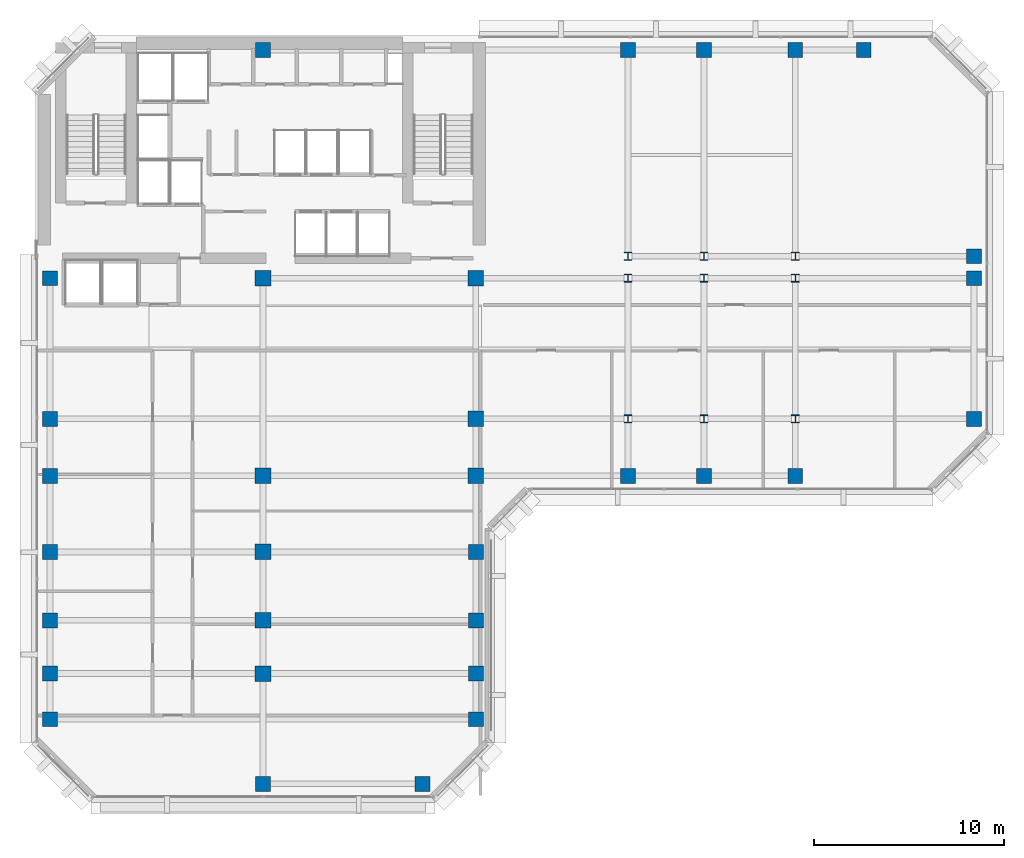
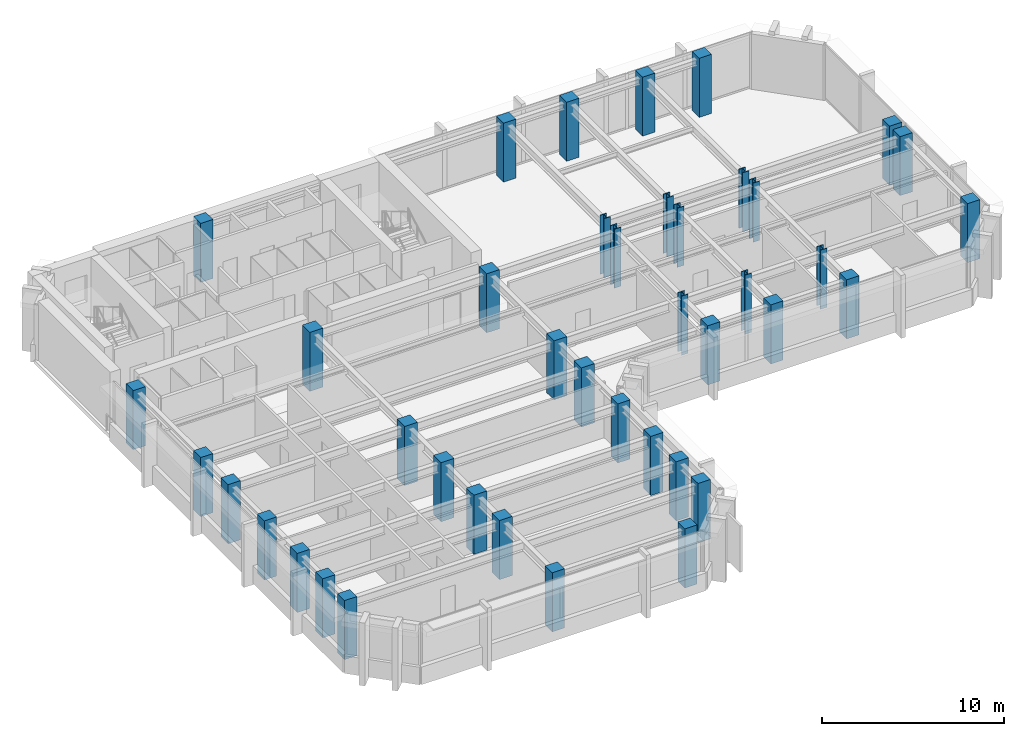
# One storey, part 1 of 12: 41 columns.
"""IFC4 building model written with IfcOpenShell, lengths in metres."""

from ifc_helpers import new_model, si_unit, direction, frame, origin, origin_2d, place, context, subcontext, project, spatial, rectangle, i_section, extrude, material, material_profile, profile_set, type_object, element, save


model = new_model("IFC4")

# Units and contexts
model_context = context("Model", 3, precision=1e-05, world=origin(), true_north=direction((0.0, 1.0)))
body_context = subcontext(model_context, "Body", "Model", "MODEL_VIEW")
ifc_project = project(units=[si_unit("LENGTHUNIT", "METRE"), si_unit("AREAUNIT", "SQUARE_METRE"), si_unit("VOLUMEUNIT", "CUBIC_METRE"), si_unit("PLANEANGLEUNIT", "RADIAN"), si_unit("MASSUNIT", "GRAM", prefix="KILO")], contexts=[model_context])

# Site, building, storey
site_placement = place(None, origin())
site = spatial("IfcSite", under=ifc_project, at=site_placement, CompositionType="ELEMENT")
building_placement = place(site_placement, origin())
building = spatial("IfcBuilding", under=site, at=building_placement, Name="Kefirva Bronze Tower", CompositionType="ELEMENT")
storey_placement = place(building_placement, frame((0.0, 0.0, 195.360107421875)))
storey = spatial("IfcBuildingStorey", under=building, at=storey_placement, Name="L47", CompositionType="ELEMENT", Elevation=195.360107421875)

# Columns
ifc_material_1 = material(Name="Concrete C50/60", Category="concrete")
ifc_material_profile_1 = material_profile(ifc_material_1, rectangle(XDim=0.780029296875, YDim=0.780029296875, at=origin_2d()), Name="RC 780x780")
ifc_profile_set_1 = profile_set([ifc_material_profile_1], Name="Concrete C50/60")
column_type_1 = type_object("IfcColumnType", Name="RC Column 780x780 Ext", PredefinedType="COLUMN", material=ifc_profile_set_1)
for number, where, z_axis, x_axis, name in (
    (1, (0.800048828125, 10.0, 0.0), (0.0, 0.0, 1.0), (1.0, 0.0, 0.0), "L47 Column C008_100"),
    (2, (0.800048828125, 12.39990234375, 0.0), (0.0, 0.0, 1.0), (1.0, 0.0, 0.0), "L47 Column C008_124"),
    (3, (0.800048828125, 15.199951171875, 0.0), (0.0, 0.0, 1.0), (1.0, 0.0, 0.0), "L47 Column C008_152"),
    (4, (0.800048828125, 18.800048828125, 0.0), (0.0, 0.0, 1.0), (1.0, 0.0, 0.0), "L47 Column C008_188"),
    (5, (0.800048828125, 22.800048828125, 0.0), (0.0, 0.0, 1.0), (1.0, 0.0, 0.0), "L47 Column C008_228"),
    (6, (0.800048828125, 25.800048828125, 0.0), (0.0, 0.0, 1.0), (1.0, 0.0, 0.0), "L47 Column C008_258"),
    (7, (0.800048828125, 33.199951171875, 0.0), (0.0, 0.0, 1.0), (1.0, 0.0, 0.0), "L47 Column C008_332"),
    (8, (12.0, 6.60009765625, 0.0), (0.0, 0.0, 1.0), (1.0, 0.0, 0.0), "L47 Column C120_066"),
    (9, (12.0, 45.199951171875, 0.0), (0.0, 0.0, 1.0), (1.0, 0.0, 0.0), "L47 Column C120_452"),
    (10, (20.39990234375, 6.60009765625, 0.0), (0.0, 0.0, 1.0), (1.0, 0.0, 0.0), "L47 Column C204_066"),
    (11, (23.199951171875, 10.0, 0.0), (0.0, 0.0, 1.0), (1.0, 0.0, 0.0), "L47 Column C232_100"),
    (12, (23.199951171875, 12.39990234375, 0.0), (0.0, 0.0, 1.0), (1.0, 0.0, 0.0), "L47 Column C232_124"),
    (13, (23.199951171875, 15.199951171875, 0.0), (0.0, 0.0, 1.0), (1.0, 0.0, 0.0), "L47 Column C232_152"),
    (14, (23.199951171875, 18.800048828125, 0.0), (0.0, 0.0, 1.0), (1.0, 0.0, 0.0), "L47 Column C232_188"),
    (15, (31.199951171875, 22.800048828125, 0.0), (0.0, 0.0, 1.0), (1.0, 0.0, 0.0), "L47 Column C312_228"),
    (16, (31.199951171875, 45.199951171875, 0.0), (0.0, 0.0, 1.0), (1.0, 0.0, 0.0), "L47 Column C312_452"),
    (17, (35.199951171875, 22.800048828125, 0.0), (0.0, 0.0, 1.0), (1.0, 0.0, 0.0), "L47 Column C352_228"),
    (18, (35.199951171875, 45.199951171875, 0.0), (0.0, 0.0, 1.0), (1.0, 0.0, 0.0), "L47 Column C352_452"),
    (19, (40.0, 22.800048828125, 0.0), (0.0, 0.0, 1.0), (1.0, 0.0, 0.0), "L47 Column C400_228"),
    (20, (40.0, 45.199951171875, 0.0), (0.0, 0.0, 1.0), (1.0, 0.0, 0.0), "L47 Column C400_452"),
    (21, (43.60009765625, 45.199951171875, 0.0), (0.0, 0.0, 1.0), (1.0, 0.0, 0.0), "L47 Column C436_452"),
    (22, (49.39990234375, 25.800048828125, 0.0), (0.0, 0.0, 1.0), (1.0, 0.0, 0.0), "L47 Column C494_258"),
    (23, (49.39990234375, 33.199951171875, 0.0), (0.0, 0.0, 1.0), (1.0, 0.0, 0.0), "L47 Column C494_332"),
    (24, (49.39990234375, 34.35009765625, 0.0), (0.0, 0.0, 1.0), (1.0, 0.0, 0.0), "L47 Column C494_344"),
):
    element("IfcColumn", number, at=place(storey_placement, frame(where, z_axis=z_axis, x_axis=x_axis)), inside=storey, type_object=column_type_1, Name=name, PredefinedType="COLUMN", context=body_context, shape_type="SweptSolid", body=[
        extrude(rectangle(XDim=0.780029296875, YDim=0.780029296875, at=origin_2d()), origin(), (0.0, 0.0, 1.0), 3.9599609375),
    ])
ifc_material_profile_2 = material_profile(ifc_material_1, rectangle(XDim=0.820068359375, YDim=0.820068359375, at=origin_2d()), Name="RC 820x820")
ifc_profile_set_2 = profile_set([ifc_material_profile_2], Name="Concrete C50/60")
column_type_2 = type_object("IfcColumnType", Name="RC Column 820x820 Int", PredefinedType="COLUMN", material=ifc_profile_set_2)
for number, where, z_axis, x_axis, name in (
    (25, (12.0, 12.39990234375, 0.0), (0.0, 0.0, 1.0), (1.0, 0.0, 0.0), "L47 Column C120_124"),
    (26, (12.0, 15.199951171875, 0.0), (0.0, 0.0, 1.0), (1.0, 0.0, 0.0), "L47 Column C120_152"),
    (27, (12.0, 18.800048828125, 0.0), (0.0, 0.0, 1.0), (1.0, 0.0, 0.0), "L47 Column C120_188"),
    (28, (12.0, 22.800048828125, 0.0), (0.0, 0.0, 1.0), (1.0, 0.0, 0.0), "L47 Column C120_228"),
    (29, (12.0, 33.199951171875, 0.0), (0.0, 0.0, 1.0), (1.0, 0.0, 0.0), "L47 Column C120_332"),
    (30, (23.199951171875, 22.800048828125, 0.0), (0.0, 0.0, 1.0), (1.0, 0.0, 0.0), "L47 Column C232_228"),
    (31, (23.199951171875, 25.800048828125, 0.0), (0.0, 0.0, 1.0), (1.0, 0.0, 0.0), "L47 Column C232_258"),
    (32, (23.199951171875, 33.199951171875, 0.0), (0.0, 0.0, 1.0), (1.0, 0.0, 0.0), "L47 Column C232_332"),
):
    element("IfcColumn", number, at=place(storey_placement, frame(where, z_axis=z_axis, x_axis=x_axis)), inside=storey, type_object=column_type_2, Name=name, PredefinedType="COLUMN", context=body_context, shape_type="SweptSolid", body=[
        extrude(rectangle(XDim=0.820068359375, YDim=0.820068359375, at=origin_2d()), origin(), (0.0, 0.0, 1.0), 3.9599609375),
    ])
ifc_material_2 = material(Name="Steel S460", Category="steel")
ifc_material_profile_3 = material_profile(ifc_material_2, i_section(OverallWidth=0.412109375, OverallDepth=0.43505859375, WebThickness=0.027099609375, FlangeThickness=0.04296875, at=origin_2d()), Name="HD 400x463")
ifc_profile_set_3 = profile_set([ifc_material_profile_3], Name="Steel S460")
column_type_3 = type_object("IfcColumnType", Name="Steel Column HD 400x463", PredefinedType="COLUMN", material=ifc_profile_set_3)
for number, where, z_axis, x_axis, name in (
    (33, (31.199951171875, 25.800048828125, 0.0), (0.0, 0.0, 1.0), (1.0, 0.0, 0.0), "L47 Column C312_258"),
    (34, (31.199951171875, 33.199951171875, 0.0), (0.0, 0.0, 1.0), (1.0, 0.0, 0.0), "L47 Column C312_332"),
    (35, (31.199951171875, 34.35009765625, 0.0), (0.0, 0.0, 1.0), (1.0, 0.0, 0.0), "L47 Column C312_344"),
    (36, (35.199951171875, 25.800048828125, 0.0), (0.0, 0.0, 1.0), (1.0, 0.0, 0.0), "L47 Column C352_258"),
    (37, (35.199951171875, 33.199951171875, 0.0), (0.0, 0.0, 1.0), (1.0, 0.0, 0.0), "L47 Column C352_332"),
    (38, (35.199951171875, 34.35009765625, 0.0), (0.0, 0.0, 1.0), (1.0, 0.0, 0.0), "L47 Column C352_344"),
    (39, (40.0, 25.800048828125, 0.0), (0.0, 0.0, 1.0), (1.0, 0.0, 0.0), "L47 Column C400_258"),
    (40, (40.0, 33.199951171875, 0.0), (0.0, 0.0, 1.0), (1.0, 0.0, 0.0), "L47 Column C400_332"),
    (41, (40.0, 34.35009765625, 0.0), (0.0, 0.0, 1.0), (1.0, 0.0, 0.0), "L47 Column C400_344"),
):
    element("IfcColumn", number, at=place(storey_placement, frame(where, z_axis=z_axis, x_axis=x_axis)), inside=storey, type_object=column_type_3, Name=name, PredefinedType="COLUMN", context=body_context, shape_type="SweptSolid", body=[
        extrude(i_section(OverallWidth=0.412109375, OverallDepth=0.43505859375, WebThickness=0.027099609375, FlangeThickness=0.04296875, at=origin_2d()), origin(), (0.0, 0.0, 1.0), 3.9599609375),
    ])

save(model, "model.ifc")
